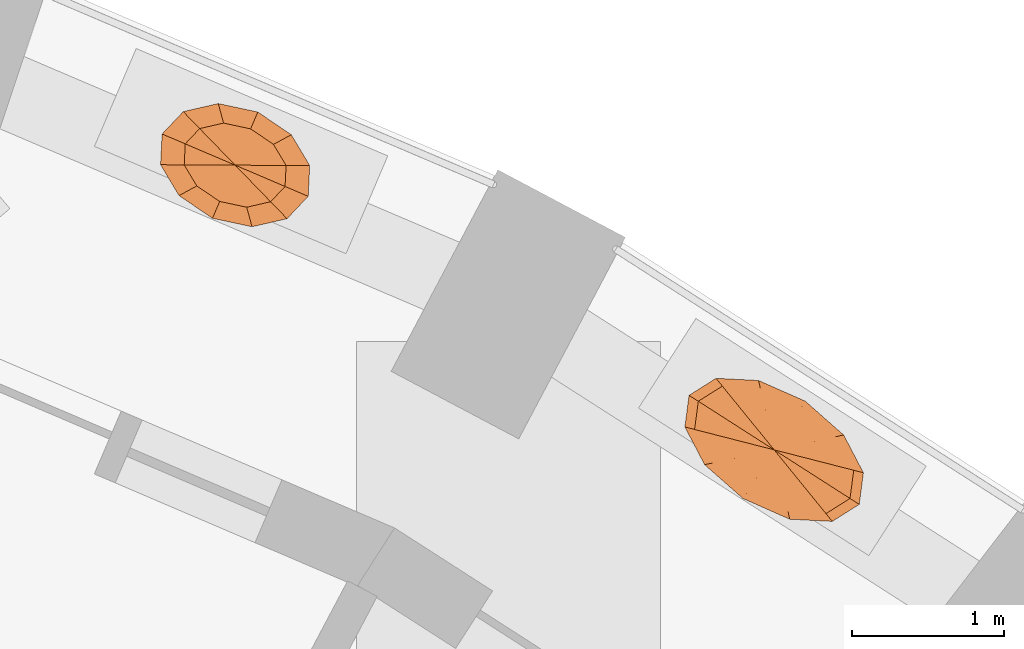
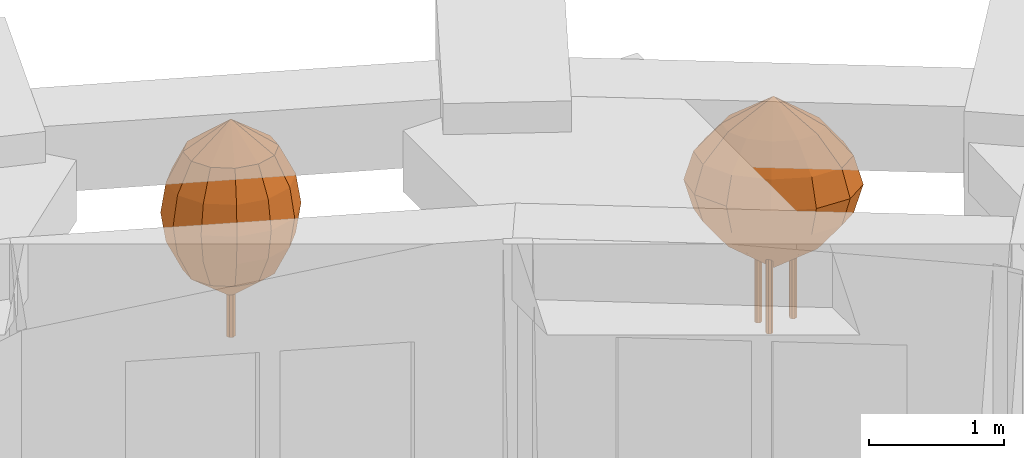
# One storey, part 12 of 12: 2 geographic elements.
"""IFC4 building model written with IfcOpenShell, lengths in metres."""

from ifc_helpers import new_model, si_unit, direction, frame, origin, place, context, subcontext, project, spatial, faceted_brep, material, constituent, constituent_set, type_object, element, save


model = new_model("IFC4")

# Units and contexts
model_context = context("Model", 3, precision=1e-05, world=origin(), true_north=direction((0.0, 1.0)))
body_context = subcontext(model_context, "Body", "Model", "MODEL_VIEW")
ifc_project = project(units=[si_unit("LENGTHUNIT", "METRE"), si_unit("AREAUNIT", "SQUARE_METRE"), si_unit("VOLUMEUNIT", "CUBIC_METRE"), si_unit("PLANEANGLEUNIT", "RADIAN"), si_unit("MASSUNIT", "GRAM", prefix="KILO")], contexts=[model_context])

# Site, building, storey
site_placement = place(None, origin())
site = spatial("IfcSite", under=ifc_project, at=site_placement, CompositionType="ELEMENT")
building_placement = place(site_placement, origin())
building = spatial("IfcBuilding", under=site, at=building_placement, Name="Taillehof Tower", CompositionType="ELEMENT")
storey_placement = place(building_placement, frame((0.0, 0.0, 145.10009765625)))
storey = spatial("IfcBuildingStorey", under=building, at=storey_placement, Name="L40", CompositionType="ELEMENT", Elevation=145.10009765625)

# Geographic elements
ifc_material_1 = material(Name="Tree bark", Category="timber")
ifc_constituent_1 = constituent(ifc_material_1, Name="Trunk", Category="timber")
ifc_material_2 = material(Name="Tree foliage")
ifc_constituent_2 = constituent(ifc_material_2, Name="Crown")
ifc_constituent_set_1 = constituent_set(constituents=[ifc_constituent_1, ifc_constituent_2], Name="Tree TR2 Fastigiate yew")
geographic_element_type_1 = type_object("IfcGeographicElementType", Name="Tree TR2 Fastigiate yew", PredefinedType="USERDEFINED", material=ifc_constituent_set_1)
geographic_element_1_placement = place(storey_placement, frame((10.027587890625, 19.59228515625, 0.75)))
element("IfcGeographicElement", 1, at=geographic_element_1_placement, inside=storey, type_object=geographic_element_type_1, Name="Tree TR2 Fastigiate yew", ObjectType="TREE", PredefinedType="USERDEFINED", context=body_context, shape_type="Brep", body=[
    faceted_brep([(0.034912109375, 0.0, 0.0), (0.024658203125, 0.024658203125, 0.0), (0.024658203125, 0.024658203125, 0.909912109375), (0.034912109375, 0.0, 0.909912109375), (0.0, 0.034912109375, 0.0), (0.0, 0.034912109375, 0.909912109375), (-0.024658203125, 0.024658203125, 0.0), (-0.024658203125, 0.024658203125, 0.909912109375), (-0.034912109375, 0.0, 0.0), (-0.034912109375, 0.0, 0.909912109375), (-0.024658203125, -0.024658203125, 0.0), (-0.024658203125, -0.024658203125, 0.909912109375), (0.0, -0.034912109375, 0.0), (0.0, -0.034912109375, 0.909912109375), (0.024658203125, -0.024658203125, 0.0), (0.024658203125, -0.024658203125, 0.909912109375)], [[[0, 1, 2, 3]], [[1, 4, 5, 2]], [[4, 6, 7, 5]], [[6, 8, 9, 7]], [[8, 10, 11, 9]], [[10, 12, 13, 11]], [[12, 14, 15, 13]], [[14, 0, 3, 15]], [[14, 12, 10, 8, 6, 4, 1, 0]], [[3, 2, 5, 7, 9, 11, 13, 15]]]),
    faceted_brep([(0.0, 0.0, 0.35009765625), (-0.335205078125, 0.001953125, 0.61669921875), (-0.328369140625, 0.14013671875, 0.61669921875), (-0.25244140625, -0.13671875, 0.61669921875), (-0.101806640625, -0.23876953125, 0.61669921875), (0.075927734375, -0.27685546875, 0.61669921875), (0.2333984375, -0.24072265625, 0.61669921875), (0.328369140625, -0.14013671875, 0.61669921875), (0.335205078125, -0.001953125, 0.61669921875), (0.25244140625, 0.13671875, 0.61669921875), (0.101806640625, 0.23876953125, 0.61669921875), (-0.075927734375, 0.27685546875, 0.61669921875), (-0.2333984375, 0.24072265625, 0.61669921875), (-0.453369140625, 0.002685546875, 0.88330078125), (-0.444091796875, 0.189453125, 0.88330078125), (-0.34130859375, -0.18505859375, 0.88330078125), (-0.1376953125, -0.322998046875, 0.88330078125), (0.102783203125, -0.374267578125, 0.88330078125), (0.315673828125, -0.325439453125, 0.88330078125), (0.444091796875, -0.189453125, 0.88330078125), (0.453369140625, -0.002685546875, 0.88330078125), (0.34130859375, 0.18505859375, 0.88330078125), (0.1376953125, 0.322998046875, 0.88330078125), (-0.102783203125, 0.374267578125, 0.88330078125), (-0.315673828125, 0.325439453125, 0.88330078125), (-0.49072265625, 0.002685546875, 1.14990234375), (-0.480712890625, 0.205078125, 1.14990234375), (-0.369384765625, -0.2001953125, 1.14990234375), (-0.149169921875, -0.349609375, 1.14990234375), (0.111083984375, -0.4052734375, 1.14990234375), (0.341552734375, -0.352294921875, 1.14990234375), (0.480712890625, -0.205078125, 1.14990234375), (0.49072265625, -0.002685546875, 1.14990234375), (0.369384765625, 0.2001953125, 1.14990234375), (0.149169921875, 0.349609375, 1.14990234375), (-0.111083984375, 0.4052734375, 1.14990234375), (-0.341552734375, 0.352294921875, 1.14990234375), (-0.453369140625, 0.002685546875, 1.416748046875), (-0.444091796875, 0.189453125, 1.416748046875), (-0.34130859375, -0.18505859375, 1.416748046875), (-0.1376953125, -0.322998046875, 1.416748046875), (0.102783203125, -0.374267578125, 1.416748046875), (0.315673828125, -0.325439453125, 1.416748046875), (0.444091796875, -0.189453125, 1.416748046875), (0.453369140625, -0.002685546875, 1.416748046875), (0.34130859375, 0.18505859375, 1.416748046875), (0.1376953125, 0.322998046875, 1.416748046875), (-0.102783203125, 0.374267578125, 1.416748046875), (-0.315673828125, 0.325439453125, 1.416748046875), (-0.335205078125, 0.001953125, 1.683349609375), (-0.328369140625, 0.14013671875, 1.683349609375), (-0.25244140625, -0.13671875, 1.683349609375), (-0.101806640625, -0.23876953125, 1.683349609375), (0.075927734375, -0.27685546875, 1.683349609375), (0.2333984375, -0.24072265625, 1.683349609375), (0.328369140625, -0.14013671875, 1.683349609375), (0.335205078125, -0.001953125, 1.683349609375), (0.25244140625, 0.13671875, 1.683349609375), (0.101806640625, 0.23876953125, 1.683349609375), (-0.075927734375, 0.27685546875, 1.683349609375), (-0.2333984375, 0.24072265625, 1.683349609375), (0.0, 0.0, 1.949951171875)], [[[0, 1, 2]], [[0, 3, 1]], [[0, 4, 3]], [[0, 5, 4]], [[0, 6, 5]], [[0, 7, 6]], [[0, 8, 7]], [[0, 9, 8]], [[0, 10, 9]], [[0, 11, 10]], [[0, 12, 11]], [[0, 2, 12]], [[2, 1, 13, 14]], [[1, 3, 15, 13]], [[3, 4, 16, 15]], [[4, 5, 17, 16]], [[5, 6, 18, 17]], [[6, 7, 19, 18]], [[7, 8, 20, 19]], [[8, 9, 21, 20]], [[9, 10, 22, 21]], [[10, 11, 23, 22]], [[11, 12, 24, 23]], [[12, 2, 14, 24]], [[14, 13, 25, 26]], [[13, 15, 27, 25]], [[15, 16, 28, 27]], [[16, 17, 29, 28]], [[17, 18, 30, 29]], [[18, 19, 31, 30]], [[19, 20, 32, 31]], [[20, 21, 33, 32]], [[21, 22, 34, 33]], [[22, 23, 35, 34]], [[23, 24, 36, 35]], [[24, 14, 26, 36]], [[26, 25, 37, 38]], [[25, 27, 39, 37]], [[27, 28, 40, 39]], [[28, 29, 41, 40]], [[29, 30, 42, 41]], [[30, 31, 43, 42]], [[31, 32, 44, 43]], [[32, 33, 45, 44]], [[33, 34, 46, 45]], [[34, 35, 47, 46]], [[35, 36, 48, 47]], [[36, 26, 38, 48]], [[38, 37, 49, 50]], [[37, 39, 51, 49]], [[39, 40, 52, 51]], [[40, 41, 53, 52]], [[41, 42, 54, 53]], [[42, 43, 55, 54]], [[43, 44, 56, 55]], [[44, 45, 57, 56]], [[45, 46, 58, 57]], [[46, 47, 59, 58]], [[47, 48, 60, 59]], [[48, 38, 50, 60]], [[50, 49, 61]], [[49, 51, 61]], [[51, 52, 61]], [[52, 53, 61]], [[53, 54, 61]], [[54, 55, 61]], [[55, 56, 61]], [[56, 57, 61]], [[57, 58, 61]], [[58, 59, 61]], [[59, 60, 61]], [[60, 50, 61]]]),
])
ifc_material_3 = material(Name="Tree bark", Category="timber")
ifc_constituent_3 = constituent(ifc_material_3, Name="Trunk", Category="timber")
ifc_material_4 = material(Name="Tree foliage")
ifc_constituent_4 = constituent(ifc_material_4, Name="Crown")
ifc_constituent_set_2 = constituent_set(constituents=[ifc_constituent_3, ifc_constituent_4], Name="Tree TR3 Multi-stem serviceberry")
geographic_element_type_2 = type_object("IfcGeographicElementType", Name="Tree TR3 Multi-stem serviceberry", PredefinedType="USERDEFINED", material=ifc_constituent_set_2)
geographic_element_2_placement = place(storey_placement, frame((13.57421875, 17.718994140625, 0.75)))
element("IfcGeographicElement", 2, at=geographic_element_2_placement, inside=storey, type_object=geographic_element_type_2, Name="Tree TR3 Multi-stem serviceberry", ObjectType="TREE", PredefinedType="USERDEFINED", context=body_context, shape_type="Brep", body=[
    faceted_brep([(0.195068359375, 0.0, 0.0), (0.186767578125, 0.0205078125, 0.0), (0.186767578125, 0.0205078125, 1.04248046875), (0.195068359375, 0.0, 1.04248046875), (0.166259765625, 0.02880859375, 0.0), (0.166259765625, 0.02880859375, 1.04248046875), (0.145751953125, 0.0205078125, 0.0), (0.145751953125, 0.0205078125, 1.04248046875), (0.137451171875, 0.0, 0.0), (0.137451171875, 0.0, 1.04248046875), (0.145751953125, -0.0205078125, 0.0), (0.145751953125, -0.0205078125, 1.04248046875), (0.166259765625, -0.02880859375, 0.0), (0.166259765625, -0.02880859375, 1.04248046875), (0.186767578125, -0.0205078125, 0.0), (0.186767578125, -0.0205078125, 1.04248046875)], [[[0, 1, 2, 3]], [[1, 4, 5, 2]], [[4, 6, 7, 5]], [[6, 8, 9, 7]], [[8, 10, 11, 9]], [[10, 12, 13, 11]], [[12, 14, 15, 13]], [[14, 0, 3, 15]], [[14, 12, 10, 8, 6, 4, 1, 0]], [[3, 2, 5, 7, 9, 11, 13, 15]]]),
    faceted_brep([(-0.05419921875, 0.082275390625, 0.0), (-0.062744140625, 0.102783203125, 0.0), (-0.062744140625, 0.102783203125, 1.04248046875), (-0.05419921875, 0.082275390625, 1.04248046875), (-0.0830078125, 0.111083984375, 0.0), (-0.0830078125, 0.111083984375, 1.04248046875), (-0.103515625, 0.102783203125, 0.0), (-0.103515625, 0.102783203125, 1.04248046875), (-0.112060546875, 0.082275390625, 0.0), (-0.112060546875, 0.082275390625, 1.04248046875), (-0.103515625, 0.061767578125, 0.0), (-0.103515625, 0.061767578125, 1.04248046875), (-0.0830078125, 0.053466796875, 0.0), (-0.0830078125, 0.053466796875, 1.04248046875), (-0.062744140625, 0.061767578125, 0.0), (-0.062744140625, 0.061767578125, 1.04248046875)], [[[0, 1, 2, 3]], [[1, 4, 5, 2]], [[4, 6, 7, 5]], [[6, 8, 9, 7]], [[8, 10, 11, 9]], [[10, 12, 13, 11]], [[12, 14, 15, 13]], [[14, 0, 3, 15]], [[14, 12, 10, 8, 6, 4, 1, 0]], [[3, 2, 5, 7, 9, 11, 13, 15]]]),
    faceted_brep([(-0.05419921875, -0.082275390625, 0.0), (-0.062744140625, -0.061767578125, 0.0), (-0.062744140625, -0.061767578125, 1.04248046875), (-0.05419921875, -0.082275390625, 1.04248046875), (-0.0830078125, -0.053466796875, 0.0), (-0.0830078125, -0.053466796875, 1.04248046875), (-0.103515625, -0.061767578125, 0.0), (-0.103515625, -0.061767578125, 1.04248046875), (-0.112060546875, -0.082275390625, 0.0), (-0.112060546875, -0.082275390625, 1.04248046875), (-0.103515625, -0.102783203125, 0.0), (-0.103515625, -0.102783203125, 1.04248046875), (-0.0830078125, -0.111083984375, 0.0), (-0.0830078125, -0.111083984375, 1.04248046875), (-0.062744140625, -0.102783203125, 0.0), (-0.062744140625, -0.102783203125, 1.04248046875)], [[[0, 1, 2, 3]], [[1, 4, 5, 2]], [[4, 6, 7, 5]], [[6, 8, 9, 7]], [[8, 10, 11, 9]], [[10, 12, 13, 11]], [[12, 14, 15, 13]], [[14, 0, 3, 15]], [[14, 12, 10, 8, 6, 4, 1, 0]], [[3, 2, 5, 7, 9, 11, 13, 15]]]),
    faceted_brep([(0.0, 0.0, 0.5), (-0.33740234375, 0.08642578125, 0.75830078125), (-0.321533203125, 0.2060546875, 0.75830078125), (-0.2626953125, -0.05615234375, 0.75830078125), (-0.11767578125, -0.183837890625, 0.75830078125), (0.058837890625, -0.26220703125, 0.75830078125), (0.2197265625, -0.270263671875, 0.75830078125), (0.321533203125, -0.2060546875, 0.75830078125), (0.33740234375, -0.08642578125, 0.75830078125), (0.2626953125, 0.05615234375, 0.75830078125), (0.11767578125, 0.183837890625, 0.75830078125), (-0.058837890625, 0.26220703125, 0.75830078125), (-0.2197265625, 0.270263671875, 0.75830078125), (-0.523681640625, 0.13427734375, 1.0166015625), (-0.4990234375, 0.31982421875, 1.0166015625), (-0.40771484375, -0.087158203125, 1.0166015625), (-0.1826171875, -0.28515625, 1.0166015625), (0.09130859375, -0.40673828125, 1.0166015625), (0.3408203125, -0.41943359375, 1.0166015625), (0.4990234375, -0.31982421875, 1.0166015625), (0.523681640625, -0.13427734375, 1.0166015625), (0.40771484375, 0.087158203125, 1.0166015625), (0.1826171875, 0.28515625, 1.0166015625), (-0.09130859375, 0.40673828125, 1.0166015625), (-0.3408203125, 0.41943359375, 1.0166015625), (-0.58740234375, 0.150634765625, 1.27490234375), (-0.56005859375, 0.358642578125, 1.27490234375), (-0.45751953125, -0.09765625, 1.27490234375), (-0.205078125, -0.320068359375, 1.27490234375), (0.1025390625, -0.45654296875, 1.27490234375), (0.382568359375, -0.470703125, 1.27490234375), (0.56005859375, -0.358642578125, 1.27490234375), (0.58740234375, -0.150634765625, 1.27490234375), (0.45751953125, 0.09765625, 1.27490234375), (0.205078125, 0.320068359375, 1.27490234375), (-0.1025390625, 0.45654296875, 1.27490234375), (-0.382568359375, 0.470703125, 1.27490234375), (-0.523681640625, 0.13427734375, 1.533447265625), (-0.4990234375, 0.31982421875, 1.533447265625), (-0.40771484375, -0.087158203125, 1.533447265625), (-0.1826171875, -0.28515625, 1.533447265625), (0.09130859375, -0.40673828125, 1.533447265625), (0.3408203125, -0.41943359375, 1.533447265625), (0.4990234375, -0.31982421875, 1.533447265625), (0.523681640625, -0.13427734375, 1.533447265625), (0.40771484375, 0.087158203125, 1.533447265625), (0.1826171875, 0.28515625, 1.533447265625), (-0.09130859375, 0.40673828125, 1.533447265625), (-0.3408203125, 0.41943359375, 1.533447265625), (-0.33740234375, 0.08642578125, 1.791748046875), (-0.321533203125, 0.2060546875, 1.791748046875), (-0.2626953125, -0.05615234375, 1.791748046875), (-0.11767578125, -0.183837890625, 1.791748046875), (0.058837890625, -0.26220703125, 1.791748046875), (0.2197265625, -0.270263671875, 1.791748046875), (0.321533203125, -0.2060546875, 1.791748046875), (0.33740234375, -0.08642578125, 1.791748046875), (0.2626953125, 0.05615234375, 1.791748046875), (0.11767578125, 0.183837890625, 1.791748046875), (-0.058837890625, 0.26220703125, 1.791748046875), (-0.2197265625, 0.270263671875, 1.791748046875), (0.0, 0.0, 2.050048828125)], [[[0, 1, 2]], [[0, 3, 1]], [[0, 4, 3]], [[0, 5, 4]], [[0, 6, 5]], [[0, 7, 6]], [[0, 8, 7]], [[0, 9, 8]], [[0, 10, 9]], [[0, 11, 10]], [[0, 12, 11]], [[0, 2, 12]], [[2, 1, 13, 14]], [[1, 3, 15, 13]], [[3, 4, 16, 15]], [[4, 5, 17, 16]], [[5, 6, 18, 17]], [[6, 7, 19, 18]], [[7, 8, 20, 19]], [[8, 9, 21, 20]], [[9, 10, 22, 21]], [[10, 11, 23, 22]], [[11, 12, 24, 23]], [[12, 2, 14, 24]], [[14, 13, 25, 26]], [[13, 15, 27, 25]], [[15, 16, 28, 27]], [[16, 17, 29, 28]], [[17, 18, 30, 29]], [[18, 19, 31, 30]], [[19, 20, 32, 31]], [[20, 21, 33, 32]], [[21, 22, 34, 33]], [[22, 23, 35, 34]], [[23, 24, 36, 35]], [[24, 14, 26, 36]], [[26, 25, 37, 38]], [[25, 27, 39, 37]], [[27, 28, 40, 39]], [[28, 29, 41, 40]], [[29, 30, 42, 41]], [[30, 31, 43, 42]], [[31, 32, 44, 43]], [[32, 33, 45, 44]], [[33, 34, 46, 45]], [[34, 35, 47, 46]], [[35, 36, 48, 47]], [[36, 26, 38, 48]], [[38, 37, 49, 50]], [[37, 39, 51, 49]], [[39, 40, 52, 51]], [[40, 41, 53, 52]], [[41, 42, 54, 53]], [[42, 43, 55, 54]], [[43, 44, 56, 55]], [[44, 45, 57, 56]], [[45, 46, 58, 57]], [[46, 47, 59, 58]], [[47, 48, 60, 59]], [[48, 38, 50, 60]], [[50, 49, 61]], [[49, 51, 61]], [[51, 52, 61]], [[52, 53, 61]], [[53, 54, 61]], [[54, 55, 61]], [[55, 56, 61]], [[56, 57, 61]], [[57, 58, 61]], [[58, 59, 61]], [[59, 60, 61]], [[60, 50, 61]]]),
])

save(model, "model.ifc")
